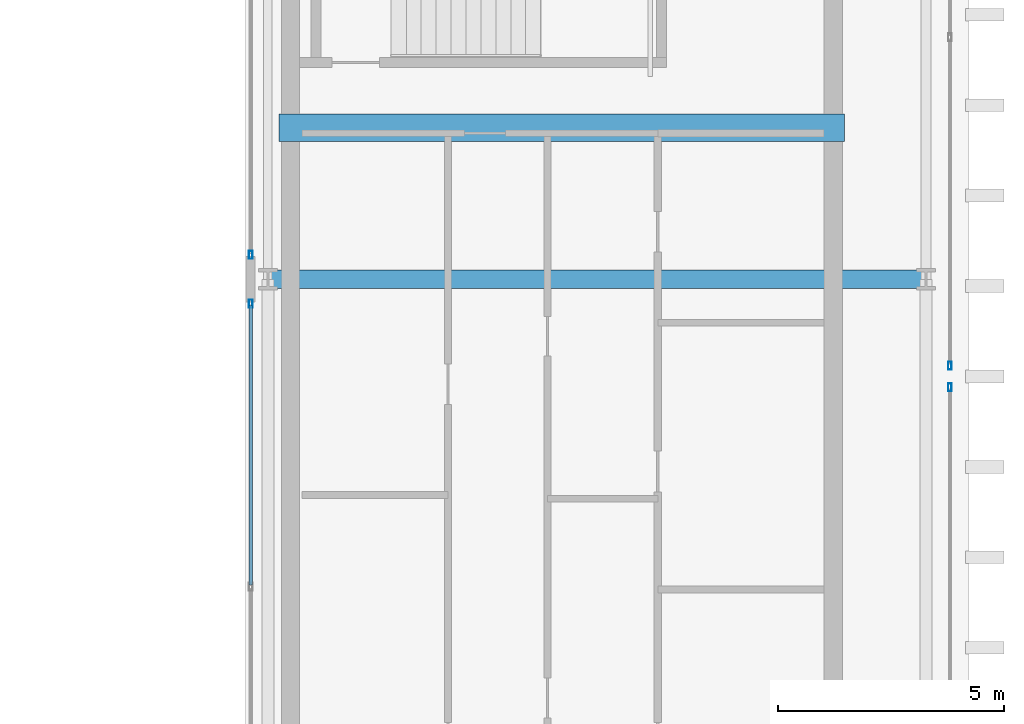
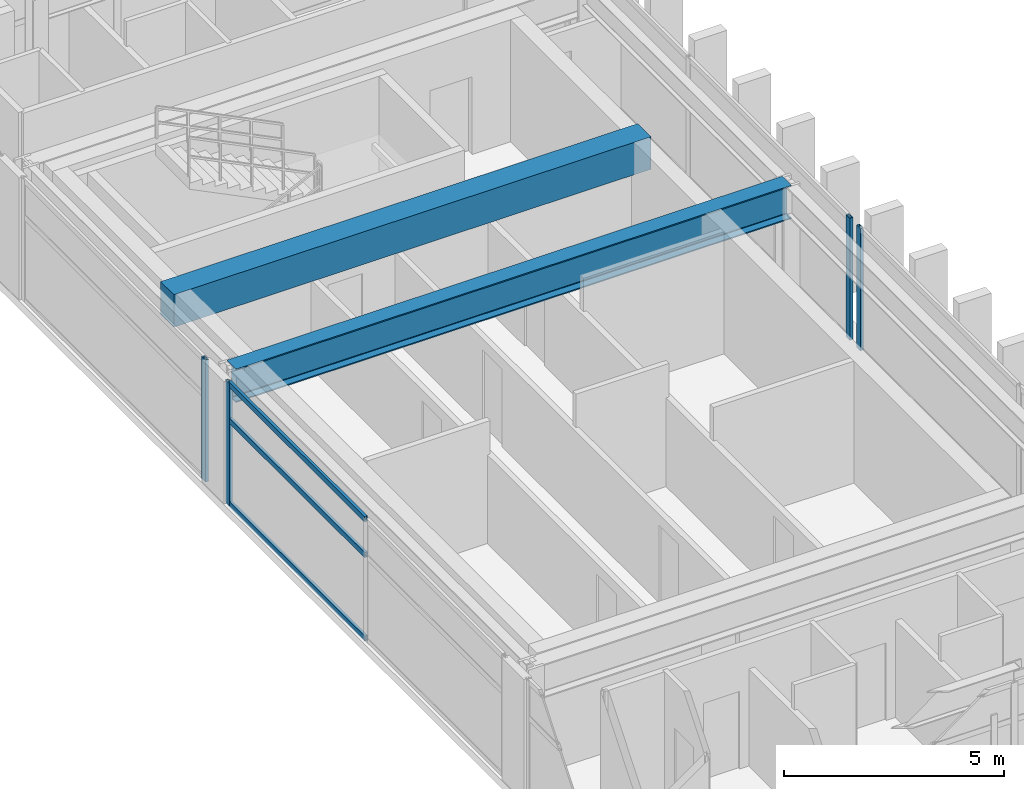
# One storey, part 11 of 25: 7 members, 2 beams, 4 elements without a shape of their own.
"""IFC4 building model written with IfcOpenShell, lengths in metres."""

from ifc_helpers import new_model, si_unit, direction, frame, origin, origin_2d, place, context, subcontext, project, spatial, rectangle, hollow_rectangle, i_section, extrude, source, transform, mapped, material, layer, layer_set, material_profile, profile_set, type_object, element, aggregate, save


model = new_model("IFC4")

# Units and contexts
model_context = context("Model", 3, precision=1e-05, world=origin(), true_north=direction((0.0, 1.0)))
body_context = subcontext(model_context, "Body", "Model", "MODEL_VIEW")
ifc_project = project(units=[si_unit("LENGTHUNIT", "METRE"), si_unit("AREAUNIT", "SQUARE_METRE"), si_unit("VOLUMEUNIT", "CUBIC_METRE"), si_unit("PLANEANGLEUNIT", "RADIAN"), si_unit("MASSUNIT", "GRAM", prefix="KILO")], contexts=[model_context])

# Site, building, storey
site_placement = place(None, origin())
site = spatial("IfcSite", under=ifc_project, at=site_placement, CompositionType="ELEMENT")
building_placement = place(site_placement, origin())
building = spatial("IfcBuilding", under=site, at=building_placement, Name="Ocotamira Hotel", CompositionType="ELEMENT")
storey_placement = place(building_placement, frame((0.0, 0.0, 265.199951171875)))
storey = spatial("IfcBuildingStorey", under=building, at=storey_placement, Name="L67", CompositionType="ELEMENT", Elevation=265.199951171875)

# Beams
ifc_material_1 = material(Name="Concrete C50/60", Category="concrete")
ifc_material_profile_1 = material_profile(ifc_material_1, rectangle(XDim=0.60009765625, YDim=0.89990234375, at=origin_2d()), Name="RC600X900")
ifc_profile_set_1 = profile_set([ifc_material_profile_1], Name="Concrete C50/60")
beam_type_1 = type_object("IfcBeamType", Name="BM-LINK-RC600", PredefinedType="LINTEL", material=ifc_profile_set_1)
shared_shape_1 = source(origin(), body_context, "Body", "SweptSolid", [
    extrude(rectangle(XDim=0.60009765625, YDim=0.89990234375, at=origin_2d()), origin(), (0.0, 0.0, 1.0), 12.5),
])
beam_1_placement = place(storey_placement, frame((40.75, 31.5, 2.929931640625), z_axis=(1.0, 0.0, 0.0), x_axis=(0.0, 1.0, 0.0)))
element("IfcBeam", 1, at=beam_1_placement, inside=storey, type_object=beam_type_1, Name="L67 East Core Coupling Beam", PredefinedType="LINTEL", context=body_context, shape_type="MappedRepresentation", body=[
    mapped(shared_shape_1, transform((0.0, 0.0, 0.0), scale=1.0)),
])
ifc_material_2 = material(Name="Steel ASTM A992 Grade 50", Category="steel")
ifc_material_profile_2 = material_profile(ifc_material_2, i_section(OverallWidth=0.41796875, OverallDepth=0.927001953125, WebThickness=0.019287109375, FlangeThickness=0.031982421875, FilletRadius=0.02392578125, at=origin_2d()), Name="W36X231")
ifc_profile_set_2 = profile_set([ifc_material_profile_2], Name="Steel ASTM A992 Grade 50")
beam_type_2 = type_object("IfcBeamType", Name="BM-GIRD-W36X231", PredefinedType="BEAM", material=ifc_profile_set_2)
shared_shape_2 = source(origin(), body_context, "Body", "SweptSolid", [
    extrude(i_section(OverallWidth=0.41796875, OverallDepth=0.927001953125, WebThickness=0.019287109375, FlangeThickness=0.031982421875, FilletRadius=0.02392578125, at=origin_2d()), origin(), (0.0, 0.0, 1.0), 14.550048828125),
])
beam_2_placement = place(storey_placement, frame((40.5, 28.14990234375, 2.91650390625), z_axis=(1.0, 0.0, 0.0), x_axis=(0.0, 1.0, 0.0)))
element("IfcBeam", 2, at=beam_2_placement, inside=storey, type_object=beam_type_2, Name="L67 Girder Y28.15 X40.5-55.05", PredefinedType="BEAM", context=body_context, shape_type="MappedRepresentation", body=[
    mapped(shared_shape_2, transform((0.0, 0.0, 0.0), scale=1.0)),
])

# Curtain wall, member
ifc_material_3 = material(Name="Anodised pale-metal aluminium and solar glass", Category="aluminium")
ifc_layer = layer(ifc_material_3, 0.2099609375)
ifc_layer_set = layer_set([ifc_layer], Name="Anodised pale-metal aluminium and solar glass")
curtain_wall_type = type_object("IfcCurtainWallType", Name="CW-SYS7-PEAK", PredefinedType="NOTDEFINED", material=ifc_layer_set)
curtain_wall_1_placement = place(storey_placement, origin())
curtain_wall_1 = element("IfcCurtainWall", 3, at=curtain_wall_1_placement, inside=storey, type_object=curtain_wall_type, Name="L67 Curtain Wall CW-7 CW-L67-EO1", PredefinedType="NOTDEFINED")
ifc_material_4 = material(Name="Anodised pale-metal aluminium 6063-T6", Category="aluminium")
ifc_material_profile_3 = material_profile(ifc_material_4, hollow_rectangle(XDim=0.080078125, YDim=0.179931640625, WallThickness=0.006103515625, at=origin_2d()), Name="HSS180X80X6")
ifc_profile_set_3 = profile_set([ifc_material_profile_3], Name="Anodised pale-metal aluminium 6063-T6")
member_type_1 = type_object("IfcMemberType", Name="CWM-180X75", PredefinedType="MULLION", material=ifc_profile_set_3)
shared_shape_3 = source(origin(), body_context, "Body", "SweptSolid", [
    extrude(hollow_rectangle(XDim=0.080078125, YDim=0.179931640625, WallThickness=0.006103515625, at=origin_2d()), origin(), (0.0, 0.0, 1.0), 3.380126953125),
])
member_1_placement = place(storey_placement, frame((55.580078125, 25.760009765625, 0.0), z_axis=(0.0, 0.0, 1.0), x_axis=(-1.0, 0.0, 0.0)))
member_1 = element("IfcMember", 4, at=member_1_placement, type_object=member_type_1, Name="CW-7 mullion 3", PredefinedType="MULLION", context=body_context, shape_type="MappedRepresentation", body=[
    mapped(shared_shape_3, transform((0.0, 0.0, 0.0), scale=1.0)),
])
aggregate(curtain_wall_1, [member_1])

curtain_wall_2_placement = place(storey_placement, origin())
curtain_wall_2 = element("IfcCurtainWall", 5, at=curtain_wall_2_placement, inside=storey, type_object=curtain_wall_type, Name="L67 Curtain Wall CW-7 CW-L67-EO2", PredefinedType="NOTDEFINED")
member_2_placement = place(storey_placement, frame((55.580078125, 26.239990234375, 0.0), z_axis=(0.0, 0.0, 1.0), x_axis=(-1.0, 0.0, 0.0)))
member_2 = element("IfcMember", 6, at=member_2_placement, type_object=member_type_1, Name="CW-7 mullion 1", PredefinedType="MULLION", context=body_context, shape_type="MappedRepresentation", body=[
    mapped(shared_shape_3, transform((0.0, 0.0, 0.0), scale=1.0)),
])
aggregate(curtain_wall_2, [member_2])

curtain_wall_3_placement = place(storey_placement, origin())
curtain_wall_3 = element("IfcCurtainWall", 7, at=curtain_wall_3_placement, inside=storey, type_object=curtain_wall_type, Name="L67 Curtain Wall CW-7 CW-L67-EI2", PredefinedType="NOTDEFINED")
member_3_placement = place(storey_placement, frame((40.1201171875, 27.610107421875, 0.0), z_axis=(0.0, 0.0, 1.0), x_axis=(-1.0, 0.0, 0.0)))
member_3 = element("IfcMember", 8, at=member_3_placement, type_object=member_type_1, Name="CW-7 mullion 3", PredefinedType="MULLION", context=body_context, shape_type="MappedRepresentation", body=[
    mapped(shared_shape_3, transform((0.0, 0.0, 0.0), scale=1.0)),
])

curtain_wall_4_placement = place(storey_placement, origin())
curtain_wall_4 = element("IfcCurtainWall", 9, at=curtain_wall_4_placement, inside=storey, type_object=curtain_wall_type, Name="L67 Curtain Wall CW-7 CW-L67-EI3", PredefinedType="NOTDEFINED")
member_4_placement = place(storey_placement, frame((40.1201171875, 28.68994140625, 0.0), z_axis=(0.0, 0.0, 1.0), x_axis=(-1.0, 0.0, 0.0)))
member_4 = element("IfcMember", 10, at=member_4_placement, type_object=member_type_1, Name="CW-7 mullion 1", PredefinedType="MULLION", context=body_context, shape_type="MappedRepresentation", body=[
    mapped(shared_shape_3, transform((0.0, 0.0, 0.0), scale=1.0)),
])
aggregate(curtain_wall_4, [member_4])

# Member
ifc_material_profile_4 = material_profile(ifc_material_4, hollow_rectangle(XDim=0.074951171875, YDim=0.14990234375, WallThickness=0.006103515625, at=origin_2d()), Name="HSS150X75X6")
ifc_profile_set_4 = profile_set([ifc_material_profile_4], Name="Anodised pale-metal aluminium 6063-T6")
member_type_2 = type_object("IfcMemberType", Name="CWT-150X75", PredefinedType="USERDEFINED", material=ifc_profile_set_4)
shared_shape_4 = source(origin(), body_context, "Body", "SweptSolid", [
    extrude(hollow_rectangle(XDim=0.074951171875, YDim=0.14990234375, WallThickness=0.006103515625, at=origin_2d()), origin(), (0.0, 0.0, 1.0), 6.18017578125),
])
member_5_placement = place(storey_placement, frame((40.1201171875, 21.389892578125, 0.03759765625), z_axis=(0.0, 1.0, 0.0), x_axis=(-1.0, 0.0, 0.0)))
member_5 = element("IfcMember", 11, at=member_5_placement, type_object=member_type_2, Name="CW-7 transom 2.1", ObjectType="TRANSOM", PredefinedType="USERDEFINED", context=body_context, shape_type="MappedRepresentation", body=[
    mapped(shared_shape_4, transform((0.0, 0.0, 0.0), scale=1.0)),
])

member_6_placement = place(storey_placement, frame((40.1201171875, 21.389892578125, 2.35009765625), z_axis=(0.0, 1.0, 0.0), x_axis=(-1.0, 0.0, 0.0)))
member_6 = element("IfcMember", 12, at=member_6_placement, type_object=member_type_2, Name="CW-7 transom 2.2", ObjectType="TRANSOM", PredefinedType="USERDEFINED", context=body_context, shape_type="MappedRepresentation", body=[
    mapped(shared_shape_4, transform((0.0, 0.0, 0.0), scale=1.0)),
])

member_7_placement = place(storey_placement, frame((40.1201171875, 21.389892578125, 3.342529296875), z_axis=(0.0, 1.0, 0.0), x_axis=(-1.0, 0.0, 0.0)))
member_7 = element("IfcMember", 13, at=member_7_placement, type_object=member_type_2, Name="CW-7 transom 2.3", ObjectType="TRANSOM", PredefinedType="USERDEFINED", context=body_context, shape_type="MappedRepresentation", body=[
    mapped(shared_shape_4, transform((0.0, 0.0, 0.0), scale=1.0)),
])

aggregate(curtain_wall_3, [member_3, member_5, member_6, member_7])

save(model, "model.ifc")
